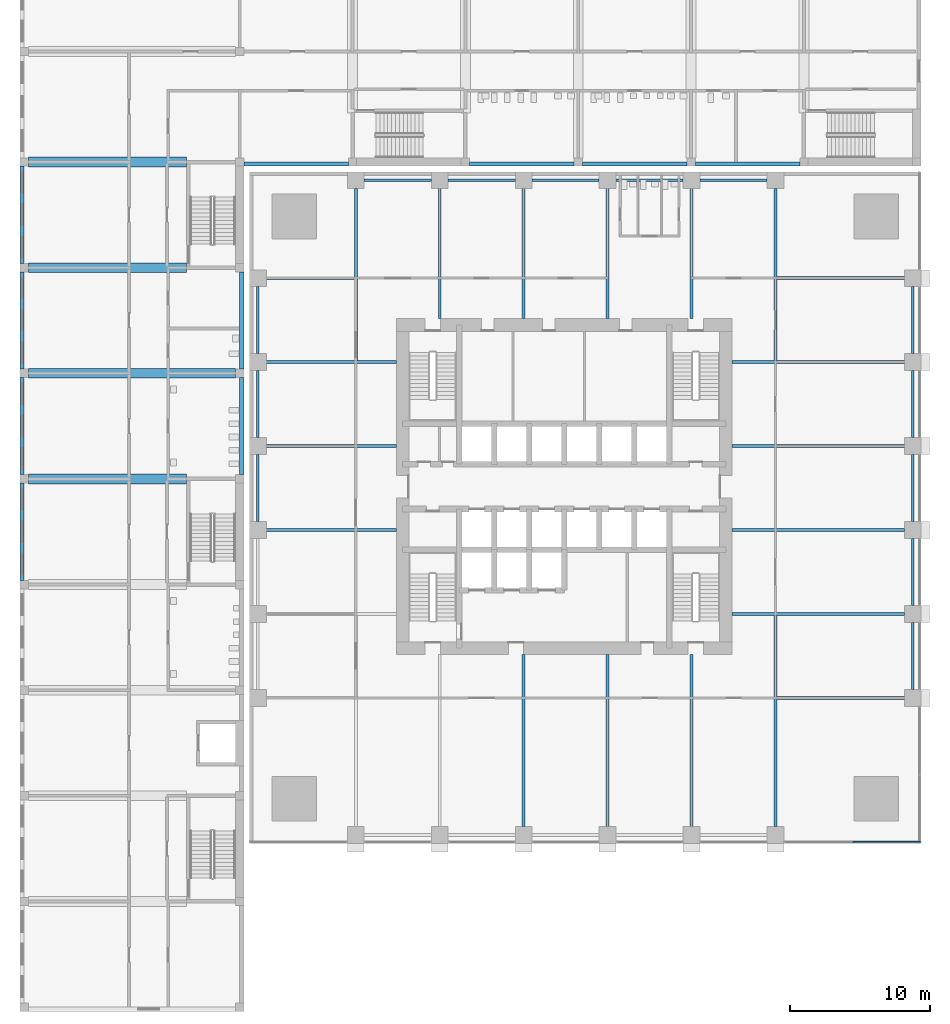
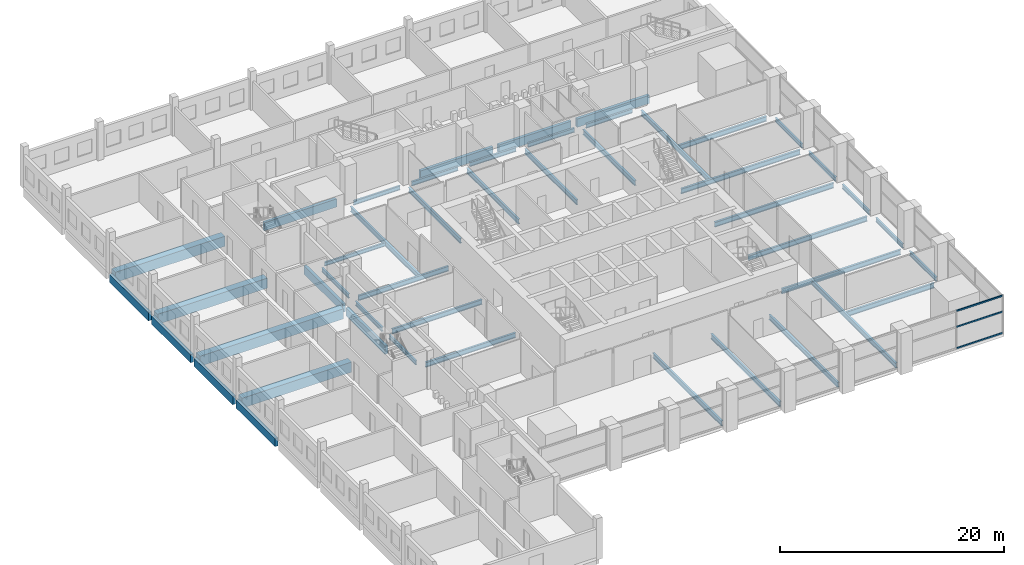
# One storey, part 5 of 25: 47 beams, 3 members, 1 element without a shape of its own.
"""IFC4 building model written with IfcOpenShell, lengths in metres."""

from ifc_helpers import new_model, si_unit, direction, frame, origin, origin_2d, place, context, subcontext, project, spatial, rectangle, i_section, extrude, material, material_profile, profile_set, type_object, element, aggregate, save


model = new_model("IFC4")

# Units and contexts
model_context = context("Model", 3, precision=1e-05, world=origin(), true_north=direction((0.0, 1.0)))
body_context = subcontext(model_context, "Body", "Model", "MODEL_VIEW")
ifc_project = project(units=[si_unit("LENGTHUNIT", "METRE"), si_unit("AREAUNIT", "SQUARE_METRE"), si_unit("VOLUMEUNIT", "CUBIC_METRE"), si_unit("PLANEANGLEUNIT", "RADIAN"), si_unit("MASSUNIT", "GRAM", prefix="KILO")], contexts=[model_context])

# Site, building, storey
site_placement = place(None, origin())
site = spatial("IfcSite", under=ifc_project, at=site_placement, CompositionType="ELEMENT")
building_placement = place(site_placement, origin())
building = spatial("IfcBuilding", under=site, at=building_placement, Name="Amberfall Residences", CompositionType="ELEMENT")
storey_placement = place(building_placement, frame((0.0, 0.0, 14.5)))
storey = spatial("IfcBuildingStorey", under=building, at=storey_placement, Name="L03", CompositionType="ELEMENT", Elevation=14.5)

# Curtain wall, members
ifc_material_1 = material(Name="Bronze anodised aluminium and glass", Category="aluminium")
curtain_wall_type = type_object("IfcCurtainWallType", Name="Curtain wall CW4 podium storefront", PredefinedType="USERDEFINED", material=ifc_material_1)
curtain_wall_placement = place(storey_placement, origin())
curtain_wall = element("IfcCurtainWall", 1, at=curtain_wall_placement, inside=storey, type_object=curtain_wall_type, Name="Storefront L03 S7", ObjectType="UNITISED CURTAIN WALL", PredefinedType="USERDEFINED")
ifc_material_2 = material(Name="Bronze anodised aluminium", Category="aluminium")
ifc_material_profile_1 = material_profile(ifc_material_2, rectangle(XDim=0.1201171875, YDim=0.14990234375, at=origin_2d()), Name="CW4 transom 120 x 150 bronze")
ifc_profile_set_1 = profile_set([ifc_material_profile_1], Name="Bronze anodised aluminium")
member_type = type_object("IfcMemberType", Name="CW4 transom 120 x 150 bronze", PredefinedType="USERDEFINED", material=ifc_profile_set_1)
member_1_placement = place(storey_placement, frame((95.135009765625, 20.10009765625, 0.074951171875), z_axis=(1.0, 0.0, 0.0), x_axis=(0.0, 1.0, 0.0)))
member_1 = element("IfcMember", 2, at=member_1_placement, type_object=member_type, Name="CW4 transom 2.1", ObjectType="TRANSOM", PredefinedType="USERDEFINED", context=body_context, shape_type="SweptSolid", body=[
    extrude(rectangle(XDim=0.1201171875, YDim=0.14990234375, at=origin_2d()), origin(), (0.0, 0.0, 1.0), 4.794921875),
])
member_2_placement = place(storey_placement, frame((95.135009765625, 20.10009765625, 2.39990234375), z_axis=(1.0, 0.0, 0.0), x_axis=(0.0, 1.0, 0.0)))
member_2 = element("IfcMember", 3, at=member_2_placement, type_object=member_type, Name="CW4 transom 2.2", ObjectType="TRANSOM", PredefinedType="USERDEFINED", context=body_context, shape_type="SweptSolid", body=[
    extrude(rectangle(XDim=0.1201171875, YDim=0.14990234375, at=origin_2d()), origin(), (0.0, 0.0, 1.0), 4.794921875),
])
member_3_placement = place(storey_placement, frame((95.135009765625, 20.10009765625, 4.125), z_axis=(1.0, 0.0, 0.0), x_axis=(0.0, 1.0, 0.0)))
member_3 = element("IfcMember", 4, at=member_3_placement, type_object=member_type, Name="CW4 transom 2.3", ObjectType="TRANSOM", PredefinedType="USERDEFINED", context=body_context, shape_type="SweptSolid", body=[
    extrude(rectangle(XDim=0.1201171875, YDim=0.14990234375, at=origin_2d()), origin(), (0.0, 0.0, 1.0), 4.794921875),
])
aggregate(curtain_wall, [member_1, member_2, member_3])

# Beams
ifc_material_3 = material(Name="Steel S355", Category="steel")
ifc_material_profile_2 = material_profile(ifc_material_3, i_section(OverallWidth=0.18994140625, OverallDepth=0.453369140625, WebThickness=0.008544921875, FlangeThickness=0.0126953125, FilletRadius=0.01025390625, at=origin_2d()), Name="UB 457x191x67")
ifc_profile_set_2 = profile_set([ifc_material_profile_2], Name="Steel S355")
beam_type_1 = type_object("IfcBeamType", Name="Edge beam UB 457x191x67", PredefinedType="SPANDREL", material=ifc_profile_set_2)
for number, where, z_axis, x_axis, name in (
    (5, (99.39990234375, 31.0, -0.526611328125), (0.0, 1.0, 0.0), (-1.0, 0.0, 0.0), "Edge beam B1 L03 12"),
    (6, (99.39990234375, 37.0, -0.526611328125), (0.0, 1.0, 0.0), (-1.0, 0.0, 0.0), "Edge beam B1 L03 13"),
    (7, (99.39990234375, 43.0, -0.526611328125), (0.0, 1.0, 0.0), (-1.0, 0.0, 0.0), "Edge beam B1 L03 14"),
    (8, (99.39990234375, 49.0, -0.526611328125), (0.0, 1.0, 0.0), (-1.0, 0.0, 0.0), "Edge beam B1 L03 15"),
    (9, (99.39990234375, 55.0, -0.526611328125), (0.0, 1.0, 0.0), (-1.0, 0.0, 0.0), "Edge beam B1 L03 16"),
    (10, (60.199951171875, 67.39990234375, -0.526611328125), (1.0, 0.0, 0.0), (0.0, 1.0, 0.0), "Edge beam B1 L03 23"),
    (11, (66.199951171875, 67.39990234375, -0.526611328125), (1.0, 0.0, 0.0), (0.0, 1.0, 0.0), "Edge beam B1 L03 24"),
    (12, (72.199951171875, 67.39990234375, -0.526611328125), (1.0, 0.0, 0.0), (0.0, 1.0, 0.0), "Edge beam B1 L03 25"),
    (13, (78.199951171875, 67.39990234375, -0.526611328125), (1.0, 0.0, 0.0), (0.0, 1.0, 0.0), "Edge beam B1 L03 26"),
    (14, (84.199951171875, 67.39990234375, -0.526611328125), (1.0, 0.0, 0.0), (0.0, 1.0, 0.0), "Edge beam B1 L03 27"),
    (15, (52.60009765625, 43.0, -0.526611328125), (0.0, 1.0, 0.0), (-1.0, 0.0, 0.0), "Edge beam B1 L03 36"),
    (16, (52.60009765625, 49.0, -0.526611328125), (0.0, 1.0, 0.0), (-1.0, 0.0, 0.0), "Edge beam B1 L03 37"),
    (17, (52.60009765625, 55.0, -0.526611328125), (0.0, 1.0, 0.0), (-1.0, 0.0, 0.0), "Edge beam B1 L03 38"),
):
    element("IfcBeam", number, at=place(storey_placement, frame(where, z_axis=z_axis, x_axis=x_axis)), inside=storey, type_object=beam_type_1, Name=name, PredefinedType="SPANDREL", context=body_context, shape_type="SweptSolid", body=[
        extrude(i_section(OverallWidth=0.18994140625, OverallDepth=0.453369140625, WebThickness=0.008544921875, FlangeThickness=0.0126953125, FilletRadius=0.01025390625, at=origin_2d()), origin(), (0.0, 0.0, 1.0), 4.800048828125),
    ])
ifc_material_profile_3 = material_profile(ifc_material_3, i_section(OverallWidth=0.177734375, OverallDepth=0.402587890625, WebThickness=0.0078125, FlangeThickness=0.010986328125, FilletRadius=0.01025390625, at=origin_2d()), Name="UB 406x178x54")
ifc_profile_set_3 = profile_set([ifc_material_profile_3], Name="Steel S355")
beam_type_2 = type_object("IfcBeamType", Name="Floor girder UB 406x178x54", PredefinedType="BEAM", material=ifc_profile_set_3)
beam_1_placement = place(storey_placement, frame((53.199951171875, 60.39990234375, -0.501220703125), z_axis=(1.0, 0.0, 0.0), x_axis=(0.0, 1.0, 0.0)))
element("IfcBeam", 18, at=beam_1_placement, inside=storey, type_object=beam_type_2, Name="Floor girder B4 L03 44", PredefinedType="BEAM", context=body_context, shape_type="SweptSolid", body=[
    extrude(i_section(OverallWidth=0.177734375, OverallDepth=0.402587890625, WebThickness=0.0078125, FlangeThickness=0.010986328125, FilletRadius=0.01025390625, at=origin_2d()), origin(), (0.0, 0.0, 1.0), 6.280029296875),
])
ifc_material_profile_4 = material_profile(ifc_material_3, i_section(OverallWidth=0.210693359375, OverallDepth=0.53955078125, WebThickness=0.01171875, FlangeThickness=0.018798828125, FilletRadius=0.0126953125, at=origin_2d()), Name="UB 533x210x109")
ifc_profile_set_4 = profile_set([ifc_material_profile_4], Name="Steel S355")
beam_type_3 = type_object("IfcBeamType", Name="Floor girder UB 533x210x109", PredefinedType="BEAM", material=ifc_profile_set_4)
for number, where, z_axis, x_axis, name in (
    (19, (71.60009765625, 21.199951171875, -0.56982421875), (0.0, 1.0, 0.0), (-1.0, 0.0, 0.0), "Floor girder B2 L03 08"),
    (20, (77.60009765625, 21.199951171875, -0.56982421875), (0.0, 1.0, 0.0), (-1.0, 0.0, 0.0), "Floor girder B2 L03 09"),
    (21, (83.60009765625, 21.199951171875, -0.56982421875), (0.0, 1.0, 0.0), (-1.0, 0.0, 0.0), "Floor girder B2 L03 10"),
):
    element("IfcBeam", number, at=place(storey_placement, frame(where, z_axis=z_axis, x_axis=x_axis)), inside=storey, type_object=beam_type_3, Name=name, PredefinedType="BEAM", context=body_context, shape_type="SweptSolid", body=[
        extrude(i_section(OverallWidth=0.210693359375, OverallDepth=0.53955078125, WebThickness=0.01171875, FlangeThickness=0.018798828125, FilletRadius=0.0126953125, at=origin_2d()), origin(), (0.0, 0.0, 1.0), 12.300048828125),
    ])
beam_2_placement = place(storey_placement, frame((89.60009765625, 21.199951171875, -0.56982421875), z_axis=(0.0, 1.0, 0.0), x_axis=(-1.0, 0.0, 0.0)))
element("IfcBeam", 22, at=beam_2_placement, inside=storey, type_object=beam_type_3, Name="Floor girder B2 L03 11", PredefinedType="BEAM", context=body_context, shape_type="SweptSolid", body=[
    extrude(i_section(OverallWidth=0.210693359375, OverallDepth=0.53955078125, WebThickness=0.01171875, FlangeThickness=0.018798828125, FilletRadius=0.0126953125, at=origin_2d()), origin(), (0.0, 0.0, 1.0), 15.099609375),
])
for number, where, z_axis, x_axis, name in (
    (23, (98.800048828125, 36.39990234375, -0.56982421875), (-1.0, 0.0, 0.0), (0.0, -1.0, 0.0), "Floor girder B2 L03 18"),
    (24, (98.800048828125, 42.39990234375, -0.56982421875), (-1.0, 0.0, 0.0), (0.0, -1.0, 0.0), "Floor girder B2 L03 19"),
    (25, (98.800048828125, 48.39990234375, -0.56982421875), (-1.0, 0.0, 0.0), (0.0, -1.0, 0.0), "Floor girder B2 L03 20"),
    (26, (98.800048828125, 54.39990234375, -0.56982421875), (-1.0, 0.0, 0.0), (0.0, -1.0, 0.0), "Floor girder B2 L03 21"),
):
    element("IfcBeam", number, at=place(storey_placement, frame(where, z_axis=z_axis, x_axis=x_axis)), inside=storey, type_object=beam_type_3, Name=name, PredefinedType="BEAM", context=body_context, shape_type="SweptSolid", body=[
        extrude(i_section(OverallWidth=0.210693359375, OverallDepth=0.53955078125, WebThickness=0.01171875, FlangeThickness=0.018798828125, FilletRadius=0.0126953125, at=origin_2d()), origin(), (0.0, 0.0, 1.0), 12.300048828125),
    ])
beam_3_placement = place(storey_placement, frame((59.60009765625, 66.800048828125, -0.56982421875), z_axis=(0.0, -1.0, 0.0), x_axis=(1.0, 0.0, 0.0)))
element("IfcBeam", 27, at=beam_3_placement, inside=storey, type_object=beam_type_3, Name="Floor girder B2 L03 28", PredefinedType="BEAM", context=body_context, shape_type="SweptSolid", body=[
    extrude(i_section(OverallWidth=0.210693359375, OverallDepth=0.53955078125, WebThickness=0.01171875, FlangeThickness=0.018798828125, FilletRadius=0.0126953125, at=origin_2d()), origin(), (0.0, 0.0, 1.0), 12.300537109375),
])
beam_4_placement = place(storey_placement, frame((89.60009765625, 66.800048828125, -0.56982421875), z_axis=(0.0, -1.0, 0.0), x_axis=(1.0, 0.0, 0.0)))
element("IfcBeam", 28, at=beam_4_placement, inside=storey, type_object=beam_type_3, Name="Floor girder B2 L03 33", PredefinedType="BEAM", context=body_context, shape_type="SweptSolid", body=[
    extrude(i_section(OverallWidth=0.210693359375, OverallDepth=0.53955078125, WebThickness=0.01171875, FlangeThickness=0.018798828125, FilletRadius=0.0126953125, at=origin_2d()), origin(), (0.0, 0.0, 1.0), 12.299560546875),
])
ifc_material_profile_5 = material_profile(ifc_material_3, i_section(OverallWidth=0.209228515625, OverallDepth=0.533203125, WebThickness=0.010009765625, FlangeThickness=0.015625, FilletRadius=0.0126953125, at=origin_2d()), Name="UB 533x210x92")
ifc_profile_set_5 = profile_set([ifc_material_profile_5], Name="Steel S355")
beam_type_4 = type_object("IfcBeamType", Name="Floor girder UB 533x210x92", PredefinedType="BEAM", material=ifc_profile_set_5)
for number, where, z_axis, x_axis, name in (
    (29, (98.800048828125, 30.39990234375, -0.566650390625), (-1.0, 0.0, 0.0), (0.0, -1.0, 0.0), "Floor girder B3 L03 17"),
    (30, (98.800048828125, 60.39990234375, -0.566650390625), (-1.0, 0.0, 0.0), (0.0, -1.0, 0.0), "Floor girder B3 L03 22"),
):
    element("IfcBeam", number, at=place(storey_placement, frame(where, z_axis=z_axis, x_axis=x_axis)), inside=storey, type_object=beam_type_4, Name=name, PredefinedType="BEAM", context=body_context, shape_type="SweptSolid", body=[
        extrude(i_section(OverallWidth=0.209228515625, OverallDepth=0.533203125, WebThickness=0.010009765625, FlangeThickness=0.015625, FilletRadius=0.0126953125, at=origin_2d()), origin(), (0.0, 0.0, 1.0), 9.080078125),
    ])
for number, where, z_axis, x_axis, name in (
    (31, (65.60009765625, 66.800048828125, -0.566650390625), (0.0, -1.0, 0.0), (1.0, 0.0, 0.0), "Floor girder B3 L03 29"),
    (32, (71.60009765625, 66.800048828125, -0.566650390625), (0.0, -1.0, 0.0), (1.0, 0.0, 0.0), "Floor girder B3 L03 30"),
    (33, (77.60009765625, 66.800048828125, -0.566650390625), (0.0, -1.0, 0.0), (1.0, 0.0, 0.0), "Floor girder B3 L03 31"),
    (34, (83.60009765625, 66.800048828125, -0.566650390625), (0.0, -1.0, 0.0), (1.0, 0.0, 0.0), "Floor girder B3 L03 32"),
    (35, (53.199951171875, 42.39990234375, -0.566650390625), (1.0, 0.0, 0.0), (0.0, 1.0, 0.0), "Floor girder B3 L03 41"),
    (36, (53.199951171875, 48.39990234375, -0.566650390625), (1.0, 0.0, 0.0), (0.0, 1.0, 0.0), "Floor girder B3 L03 42"),
    (37, (53.199951171875, 54.39990234375, -0.566650390625), (1.0, 0.0, 0.0), (0.0, 1.0, 0.0), "Floor girder B3 L03 43"),
):
    element("IfcBeam", number, at=place(storey_placement, frame(where, z_axis=z_axis, x_axis=x_axis)), inside=storey, type_object=beam_type_4, Name=name, PredefinedType="BEAM", context=body_context, shape_type="SweptSolid", body=[
        extrude(i_section(OverallWidth=0.209228515625, OverallDepth=0.533203125, WebThickness=0.010009765625, FlangeThickness=0.015625, FilletRadius=0.0126953125, at=origin_2d()), origin(), (0.0, 0.0, 1.0), 9.300048828125),
    ])
ifc_material_4 = material(Name="Concrete C40", Category="concrete")
ifc_material_profile_6 = material_profile(ifc_material_4, rectangle(XDim=0.699951171875, YDim=1.10009765625, at=origin_2d()), Name="School beam 700 x 1100 C40")
ifc_profile_set_6 = profile_set([ifc_material_profile_6], Name="Concrete C40")
beam_type_5 = type_object("IfcBeamType", Name="School beam 700 x 1100 C40", PredefinedType="BEAM", material=ifc_profile_set_6)
beam_5_placement = place(storey_placement, frame((36.199951171875, 46.050048828125, -0.85009765625), z_axis=(1.0, 0.0, 0.0), x_axis=(0.0, 1.0, 0.0)))
element("IfcBeam", 38, at=beam_5_placement, inside=storey, type_object=beam_type_5, Name="TW5", PredefinedType="BEAM", context=body_context, shape_type="SweptSolid", body=[
    extrude(rectangle(XDim=0.699951171875, YDim=1.10009765625, at=origin_2d()), origin(), (0.0, 0.0, 1.0), 11.300048828125),
])
beam_6_placement = place(storey_placement, frame((36.199951171875, 53.60009765625, -0.85009765625), z_axis=(1.0, 0.0, 0.0), x_axis=(0.0, 1.0, 0.0)))
element("IfcBeam", 39, at=beam_6_placement, inside=storey, type_object=beam_type_5, Name="TW6", PredefinedType="BEAM", context=body_context, shape_type="SweptSolid", body=[
    extrude(rectangle(XDim=0.699951171875, YDim=1.10009765625, at=origin_2d()), origin(), (0.0, 0.0, 1.0), 14.800048828125),
])
for number, where, z_axis, x_axis, name in (
    (40, (36.199951171875, 61.14990234375, -0.85009765625), (1.0, 0.0, 0.0), (0.0, 1.0, 0.0), "TW7"),
    (41, (36.199951171875, 68.699951171875, -0.85009765625), (1.0, 0.0, 0.0), (0.0, 1.0, 0.0), "TW8"),
):
    element("IfcBeam", number, at=place(storey_placement, frame(where, z_axis=z_axis, x_axis=x_axis)), inside=storey, type_object=beam_type_5, Name=name, PredefinedType="BEAM", context=body_context, shape_type="SweptSolid", body=[
        extrude(rectangle(XDim=0.699951171875, YDim=1.10009765625, at=origin_2d()), origin(), (0.0, 0.0, 1.0), 11.300048828125),
    ])
ifc_material_profile_7 = material_profile(ifc_material_4, rectangle(XDim=0.300048828125, YDim=0.89990234375, at=origin_2d()), Name="School edge beam 300 x 900 C40")
ifc_profile_set_7 = profile_set([ifc_material_profile_7], Name="Concrete C40")
beam_type_6 = type_object("IfcBeamType", Name="School edge beam 300 x 900 C40", PredefinedType="BEAM", material=ifc_profile_set_7)
for number, where, z_axis, x_axis, name in (
    (42, (35.75, 38.800048828125, -0.75), (0.0, 1.0, 0.0), (-1.0, 0.0, 0.0), "GW4"),
    (43, (35.75, 46.35009765625, -0.75), (0.0, 1.0, 0.0), (-1.0, 0.0, 0.0), "GW5"),
):
    element("IfcBeam", number, at=place(storey_placement, frame(where, z_axis=z_axis, x_axis=x_axis)), inside=storey, type_object=beam_type_6, Name=name, PredefinedType="BEAM", context=body_context, shape_type="SweptSolid", body=[
        extrude(rectangle(XDim=0.300048828125, YDim=0.89990234375, at=origin_2d()), origin(), (0.0, 0.0, 1.0), 6.949951171875),
    ])
beam_7_placement = place(storey_placement, frame((35.75, 53.89990234375, -0.75), z_axis=(0.0, 1.0, 0.0), x_axis=(-1.0, 0.0, 0.0)))
element("IfcBeam", 44, at=beam_7_placement, inside=storey, type_object=beam_type_6, Name="GW6", PredefinedType="BEAM", context=body_context, shape_type="SweptSolid", body=[
    extrude(rectangle(XDim=0.300048828125, YDim=0.89990234375, at=origin_2d()), origin(), (0.0, 0.0, 1.0), 6.9501953125),
])
for number, where, z_axis, x_axis, name in (
    (45, (35.75, 61.449951171875, -0.75), (0.0, 1.0, 0.0), (-1.0, 0.0, 0.0), "GW7"),
    (46, (51.449951171875, 46.35009765625, -0.75), (0.0, 1.0, 0.0), (-1.0, 0.0, 0.0), "GE5"),
):
    element("IfcBeam", number, at=place(storey_placement, frame(where, z_axis=z_axis, x_axis=x_axis)), inside=storey, type_object=beam_type_6, Name=name, PredefinedType="BEAM", context=body_context, shape_type="SweptSolid", body=[
        extrude(rectangle(XDim=0.300048828125, YDim=0.89990234375, at=origin_2d()), origin(), (0.0, 0.0, 1.0), 6.949951171875),
    ])
beam_8_placement = place(storey_placement, frame((51.449951171875, 53.89990234375, -0.75), z_axis=(0.0, 1.0, 0.0), x_axis=(-1.0, 0.0, 0.0)))
element("IfcBeam", 47, at=beam_8_placement, inside=storey, type_object=beam_type_6, Name="GE6", PredefinedType="BEAM", context=body_context, shape_type="SweptSolid", body=[
    extrude(rectangle(XDim=0.300048828125, YDim=0.89990234375, at=origin_2d()), origin(), (0.0, 0.0, 1.0), 6.9501953125),
])
beam_9_placement = place(storey_placement, frame((51.60009765625, 68.550048828125, -0.75), z_axis=(1.0, 0.0, 0.0), x_axis=(0.0, 1.0, 0.0)))
element("IfcBeam", 48, at=beam_9_placement, inside=storey, type_object=beam_type_6, Name="GS0", PredefinedType="BEAM", context=body_context, shape_type="SweptSolid", body=[
    extrude(rectangle(XDim=0.300048828125, YDim=0.89990234375, at=origin_2d()), origin(), (0.0, 0.0, 1.0), 7.466796875),
])
for number, where, z_axis, x_axis, name in (
    (49, (67.73291015625, 68.550048828125, -0.75), (1.0, 0.0, 0.0), (0.0, 1.0, 0.0), "GS2"),
    (50, (75.800048828125, 68.550048828125, -0.75), (1.0, 0.0, 0.0), (0.0, 1.0, 0.0), "GS3"),
):
    element("IfcBeam", number, at=place(storey_placement, frame(where, z_axis=z_axis, x_axis=x_axis)), inside=storey, type_object=beam_type_6, Name=name, PredefinedType="BEAM", context=body_context, shape_type="SweptSolid", body=[
        extrude(rectangle(XDim=0.300048828125, YDim=0.89990234375, at=origin_2d()), origin(), (0.0, 0.0, 1.0), 7.467041015625),
    ])
beam_10_placement = place(storey_placement, frame((83.866943359375, 68.550048828125, -0.75), z_axis=(1.0, 0.0, 0.0), x_axis=(0.0, 1.0, 0.0)))
element("IfcBeam", 51, at=beam_10_placement, inside=storey, type_object=beam_type_6, Name="GS4", PredefinedType="BEAM", context=body_context, shape_type="SweptSolid", body=[
    extrude(rectangle(XDim=0.300048828125, YDim=0.89990234375, at=origin_2d()), origin(), (0.0, 0.0, 1.0), 7.466064453125),
])

save(model, "model.ifc")
